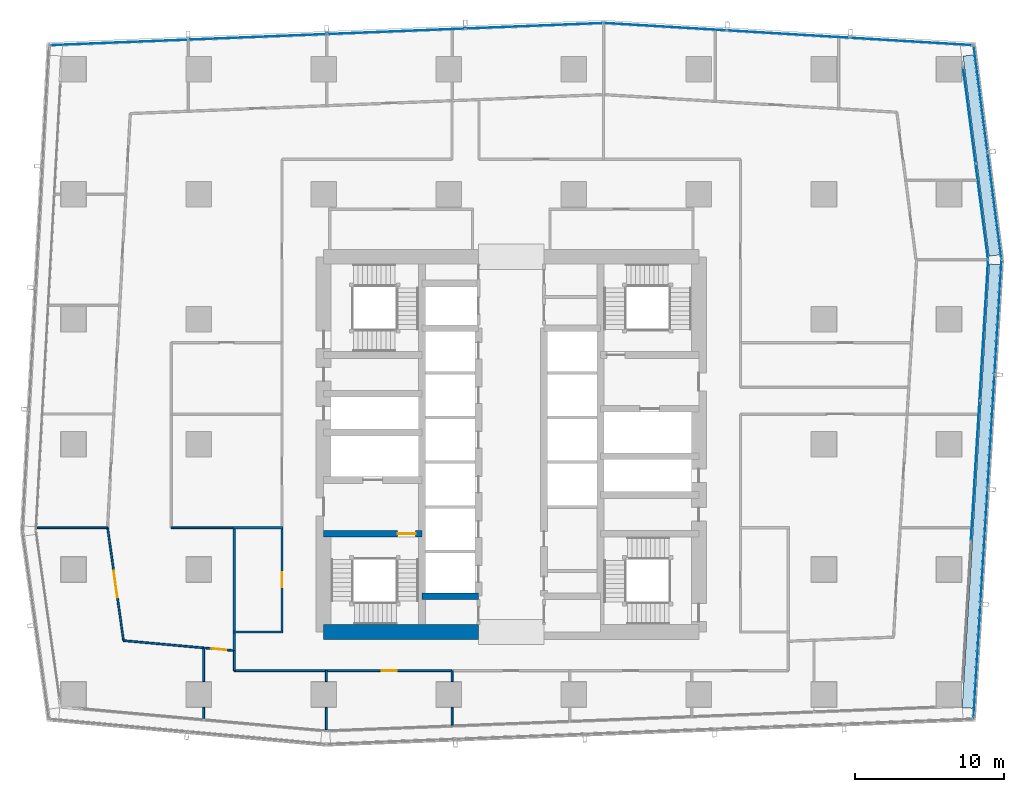
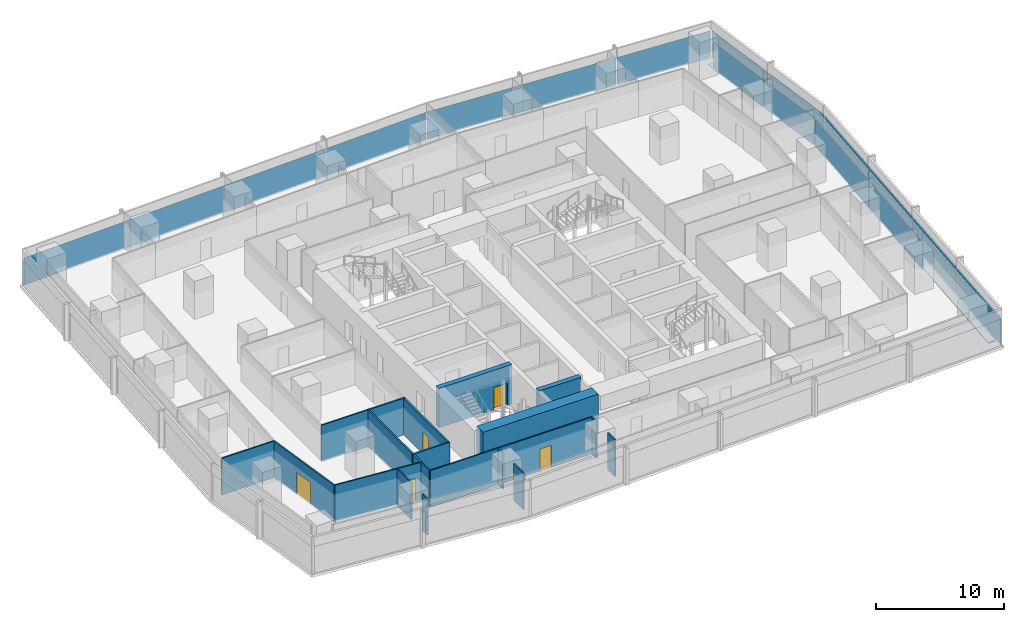
# One storey, part 28 of 40: 22 walls, 19 plates, 5 doors, 5 openings, 6 elements without a shape of their own.
"""IFC4 building model written with IfcOpenShell, lengths in metres."""

import ifcopenshell
import ifcopenshell.guid

model = None  # the IFC model being written
_history = None  # IfcOwnerHistory: only IFC2X3 demands one
_inside = {}  # id of a spatial element -> (the spatial element, [elements in it])
_under = {}  # id of a project, library or spatial element -> (it, [spatial elements below it])
_declared = {}  # id of a project -> (the project, [libraries it declares])
_typed = {}  # id of a type object -> (the type object, [elements of that type])
_made_of = {}  # id of a material, layer set ... -> (it, [elements and type objects made of it])


def new_model(schema):
    """Start an empty IFC model of exactly this schema.

    Asked for "IFC4X3", IfcOpenShell would pick the latest addendum, in which some entities
    have other attributes; the version numbers below select the first issue.
    IFC2X3 requires an IfcOwnerHistory on every rooted entity: one is made here for all.
    """
    global model, _history
    if schema == "IFC4X3":
        model = ifcopenshell.file(schema_version=(4, 3, 0, 0))
    else:
        model = ifcopenshell.file(schema=schema)
    _inside.clear()
    _under.clear()
    _declared.clear()
    _typed.clear()
    _made_of.clear()
    _history = None
    if model.schema == "IFC2X3":
        org = make("IfcOrganization", Name="unknown")
        user = make(
            "IfcPersonAndOrganization",
            ThePerson=make("IfcPerson", FamilyName="unknown"),
            TheOrganization=org,
        )
        app = make(
            "IfcApplication",
            ApplicationDeveloper=org,
            Version="unknown",
            ApplicationFullName="unknown",
            ApplicationIdentifier="unknown",
        )
        _history = make(
            "IfcOwnerHistory",
            OwningUser=user,
            OwningApplication=app,
            ChangeAction="ADDED",
            CreationDate=0,
        )
    return model


def make(cls, **values):
    """One entity of the class cls with the attributes given. An attribute that is None is left unset."""
    return model.create_entity(
        cls, **{name: value for name, value in values.items() if value is not None}
    )


def rooted(cls, **values):
    """An entity with a GlobalId (a new one), such as an element, a storey or a relation."""
    return make(cls, GlobalId=ifcopenshell.guid.new(), OwnerHistory=_history, **values)


def si_unit(unit_type, name, prefix=None):
    """IfcSIUnit, for example si_unit("LENGTHUNIT", "METRE", prefix="MILLI")."""
    return make("IfcSIUnit", UnitType=unit_type, Prefix=prefix, Name=name)


def assignment(units):
    """IfcUnitAssignment: the units of a project."""
    return None if units is None else make("IfcUnitAssignment", Units=units)


def point(xyz):
    """IfcCartesianPoint."""
    return None if xyz is None else make("IfcCartesianPoint", Coordinates=xyz)


def direction(xyz):
    """IfcDirection."""
    return None if xyz is None else make("IfcDirection", DirectionRatios=xyz)


def frame(location, z_axis=None, x_axis=None):
    """IfcAxis2Placement3D, a coordinate frame: its origin and axes. An axis left out is left unset."""
    return make(
        "IfcAxis2Placement3D",
        Location=point(location),
        Axis=direction(z_axis),
        RefDirection=direction(x_axis),
    )


def frame_2d(location, x_axis=None):
    """IfcAxis2Placement2D, a coordinate frame in the plane: its origin and x axis."""
    return make(
        "IfcAxis2Placement2D", Location=point(location), RefDirection=direction(x_axis)
    )


def origin():
    """The frame at (0, 0, 0) with its axes left unset."""
    return frame((0.0, 0.0, 0.0))


def origin_2d():
    """The frame at (0, 0) in the plane with its x axis left unset."""
    return frame_2d((0.0, 0.0))


def place(relative_to, where):
    """IfcLocalPlacement: puts the frame where relative to a parent placement (None: the world)."""
    return make(
        "IfcLocalPlacement", PlacementRelTo=relative_to, RelativePlacement=where
    )


def context(
    kind, dimensions, precision=None, world=None, true_north=None, identifier=None
):
    """IfcGeometricRepresentationContext, for example the 3D "Model" context."""
    return make(
        "IfcGeometricRepresentationContext",
        ContextIdentifier=identifier,
        ContextType=kind,
        CoordinateSpaceDimension=dimensions,
        Precision=precision,
        WorldCoordinateSystem=world,
        TrueNorth=true_north,
    )


def subcontext(parent, identifier, kind, view, scale=None):
    """IfcGeometricRepresentationSubContext, for example "Body" below "Model"."""
    return make(
        "IfcGeometricRepresentationSubContext",
        ContextIdentifier=identifier,
        ContextType=kind,
        ParentContext=parent,
        TargetScale=scale,
        TargetView=view,
    )


def project(units=None, contexts=None):
    """IfcProject with its units and contexts."""
    return rooted(
        "IfcProject",
        Name="project",
        RepresentationContexts=contexts,
        UnitsInContext=assignment(units),
    )


def spatial(cls, under=None, at=None, **own):
    """A site, building, storey or space (cls), placed at a placement, below another one or the project."""
    s = rooted(cls, ObjectPlacement=at, **own)
    if under is not None:
        _under.setdefault(under.id(), (under, []))[1].append(s)
    return s


def profile(cls, at=None, kind="AREA", **sizes):
    """A parametric profile (cls). Its sizes go by their IFC names, for example OverallWidth=200.0."""
    return make(cls, ProfileType=kind, Position=at, **sizes)


def rectangle(**sizes):
    """IfcRectangleProfileDef."""
    return profile("IfcRectangleProfileDef", **sizes)


def extrude(swept, where, along, depth):
    """IfcExtrudedAreaSolid: the profile swept, set in the frame where, extruded along a direction by depth."""
    return make(
        "IfcExtrudedAreaSolid",
        SweptArea=swept,
        Position=where,
        ExtrudedDirection=direction(along),
        Depth=depth,
    )


def shape(context_of_items, identifier, shape_type, items):
    """IfcShapeRepresentation: the items that make up one representation, for example the "Body"."""
    return make(
        "IfcShapeRepresentation",
        ContextOfItems=context_of_items,
        RepresentationIdentifier=identifier,
        RepresentationType=shape_type,
        Items=items,
    )


def material(Name=None, Category=None):
    """IfcMaterial."""
    return make("IfcMaterial", Name=Name, Category=Category)


def layer(
    of_material, thickness, ventilated=None, Name=None, Category=None, Priority=None
):
    """IfcMaterialLayer: one layer of a wall or slab, of a material (None: an air gap)."""
    return make(
        "IfcMaterialLayer",
        Material=of_material,
        LayerThickness=thickness,
        IsVentilated=ventilated,
        Name=Name,
        Category=Category,
        Priority=Priority,
    )


def layer_set(layers, Name=None):
    """IfcMaterialLayerSet."""
    return make("IfcMaterialLayerSet", MaterialLayers=layers, LayerSetName=Name)


def made_of(thing, what):
    """Note that an element or type object is made of a material, layer set ...; save() writes the relation."""
    if what is not None:
        _made_of.setdefault(what.id(), (what, []))[1].append(thing)
    return thing


def type_object(cls, material=None, **own):
    """A type object (cls), such as IfcWallType, which elements share."""
    return made_of(rooted(cls, **own), material)


def element(
    cls,
    number,
    at=None,
    inside=None,
    cuts=None,
    type_object=None,
    material=None,
    context=None,
    identifier="Body",
    shape_type=None,
    held_by="IfcProductDefinitionShape",
    body=None,
    shapes=None,
    **own,
):
    """One element of the class cls, such as IfcWall. Its Tag is "e" and its number.

    at: its placement. inside: the storey or other place that contains it. cuts: it is an
    opening in that element (IfcRelVoidsElement). A single representation is given by context,
    identifier, shape_type and body (its items); several are given by shapes. held_by: the class
    of the entity that holds the representations. save() writes the other relations.
    """
    e = rooted(cls, Tag="e%d" % number, ObjectPlacement=at, **own)
    if body is not None:
        shapes = [shape(context, identifier, shape_type, body)]
    if shapes is not None:
        e.Representation = make(held_by, Representations=shapes)
    if inside is not None:
        _inside.setdefault(inside.id(), (inside, []))[1].append(e)
    if cuts is not None:
        rooted(
            "IfcRelVoidsElement", RelatingBuildingElement=cuts, RelatedOpeningElement=e
        )
    if type_object is not None:
        _typed.setdefault(type_object.id(), (type_object, []))[1].append(e)
    return made_of(e, material)


def fill(opening, filler):
    """IfcRelFillsElement: the door or window that sits in an opening."""
    return rooted(
        "IfcRelFillsElement",
        RelatingOpeningElement=opening,
        RelatedBuildingElement=filler,
    )


def aggregate(whole, parts):
    """IfcRelAggregates: a whole, such as a stair, and the parts it consists of."""
    return rooted("IfcRelAggregates", RelatingObject=whole, RelatedObjects=parts)


def save(model, path):
    """Write the relations noted so far, then the file.

    IfcRelAggregates (storeys below a building ...), IfcRelContainedInSpatialStructure (elements
    in a storey), IfcRelDefinesByType, IfcRelAssociatesMaterial and IfcRelDeclares: one each for
    every whole, place, type object, material and project.
    """
    for whole, parts in _under.values():
        aggregate(whole, parts)
    for where, things in _inside.values():
        rooted(
            "IfcRelContainedInSpatialStructure",
            RelatedElements=things,
            RelatingStructure=where,
        )
    for kind, things in _typed.values():
        rooted("IfcRelDefinesByType", RelatedObjects=things, RelatingType=kind)
    for what, things in _made_of.values():
        rooted("IfcRelAssociatesMaterial", RelatedObjects=things, RelatingMaterial=what)
    for by, libraries in _declared.values():
        rooted("IfcRelDeclares", RelatingContext=by, RelatedDefinitions=libraries)
    model.write(path)


model = new_model("IFC4")

# Units and contexts
model_context = context("Model", 3, precision=1e-05, world=origin(), true_north=direction((0.0, 1.0)))
body_context = subcontext(model_context, "Body", "Model", "MODEL_VIEW")
ifc_project = project(units=[si_unit("LENGTHUNIT", "METRE"), si_unit("AREAUNIT", "SQUARE_METRE"), si_unit("VOLUMEUNIT", "CUBIC_METRE"), si_unit("PLANEANGLEUNIT", "RADIAN"), si_unit("MASSUNIT", "GRAM", prefix="KILO")], contexts=[model_context])

# Site, building, storey
site_placement = place(None, origin())
site = spatial("IfcSite", under=ifc_project, at=site_placement, CompositionType="ELEMENT")
building_placement = place(site_placement, origin())
building = spatial("IfcBuilding", under=site, at=building_placement, Name="Rekha Terrace Tower", CompositionType="ELEMENT")
storey_placement = place(building_placement, frame((0.0, 0.0, 117.800048828125)))
storey = spatial("IfcBuildingStorey", under=building, at=storey_placement, Name="L29", CompositionType="ELEMENT", Elevation=117.800048828125)

# Curtain wall, plates
ifc_material_1 = material(Name="Aluminium framing", Category="aluminium")
curtain_wall_type_1 = type_object("IfcCurtainWallType", Name="CW1 double skin inner glazing", PredefinedType="USERDEFINED", material=ifc_material_1)
curtain_wall_1_placement = place(storey_placement, origin())
curtain_wall_1 = element("IfcCurtainWall", 1, at=curtain_wall_1_placement, inside=storey, type_object=curtain_wall_type_1, Name="CW1 double skin inner glazing", ObjectType="DOUBLE SKIN INNER GLAZING", PredefinedType="USERDEFINED")
ifc_material_2 = material(Name="Double-glazed low-e unit 32", Category="glass")
ifc_layer_1 = layer(ifc_material_2, 0.031982421875)
ifc_layer_set_1 = layer_set([ifc_layer_1], Name="Double-glazed low-e unit 32")
plate_type_1 = type_object("IfcPlateType", Name="CW1 jumbo vision panel, double-glazed low-e unit 32", PredefinedType="CURTAIN_PANEL", material=ifc_layer_set_1)
plate_1_placement = place(storey_placement, frame((68.968505859375, 31.8193359375, 0.0), z_axis=(0.0, 0.0, 1.0), x_axis=(0.061159803131, 0.998127987024, 0.0)))
plate_1 = element("IfcPlate", 2, at=plate_1_placement, type_object=plate_type_1, Name="CW1 panel 2.1", PredefinedType="CURTAIN_PANEL", context=body_context, shape_type="SweptSolid", body=[
    extrude(rectangle(XDim=9.3876953125, YDim=0.031982421875, at=origin_2d()), origin(), (0.0, 0.0, 1.0), 2.60009765625),
])
plate_2_placement = place(storey_placement, frame((69.547607421875, 41.2705078125, 0.0), z_axis=(0.0, 0.0, 1.0), x_axis=(0.061159803131, 0.998127987024, 0.0)))
plate_2 = element("IfcPlate", 3, at=plate_2_placement, type_object=plate_type_1, Name="CW1 panel 3.1", PredefinedType="CURTAIN_PANEL", context=body_context, shape_type="SweptSolid", body=[
    extrude(rectangle(XDim=9.420166015625, YDim=0.031982421875, at=origin_2d()), origin(), (0.0, 0.0, 1.0), 2.60009765625),
])
aggregate(curtain_wall_1, [plate_1, plate_2])

curtain_wall_2_placement = place(storey_placement, origin())
curtain_wall_2 = element("IfcCurtainWall", 4, at=curtain_wall_2_placement, inside=storey, type_object=curtain_wall_type_1, Name="CW1 double skin inner glazing", ObjectType="DOUBLE SKIN INNER GLAZING", PredefinedType="USERDEFINED")
plate_3_placement = place(storey_placement, frame((69.411376953125, 49.230712890625, 0.0), z_axis=(0.0, 0.0, 1.0), x_axis=(-0.129118383675, 0.991629186237, 0.0)))
plate_3 = element("IfcPlate", 5, at=plate_3_placement, type_object=plate_type_1, Name="CW1 panel 1.1", PredefinedType="CURTAIN_PANEL", context=body_context, shape_type="SweptSolid", body=[
    extrude(rectangle(XDim=6.443115234375, YDim=0.031982421875, at=origin_2d()), origin(), (0.0, 0.0, 1.0), 2.60009765625),
])
plate_4_placement = place(storey_placement, frame((68.571044921875, 55.68408203125, 0.0), z_axis=(0.0, 0.0, 1.0), x_axis=(-0.129118383675, 0.991629186237, 0.0)))
plate_4 = element("IfcPlate", 6, at=plate_4_placement, type_object=plate_type_1, Name="CW1 panel 2.1", PredefinedType="CURTAIN_PANEL", context=body_context, shape_type="SweptSolid", body=[
    extrude(rectangle(XDim=6.443115234375, YDim=0.031982421875, at=origin_2d()), origin(), (0.0, 0.0, 1.0), 2.60009765625),
])
aggregate(curtain_wall_2, [plate_3, plate_4])

curtain_wall_type_2 = type_object("IfcCurtainWallType", Name="CW2 double skin outer glazing", PredefinedType="USERDEFINED", material=ifc_material_1)
curtain_wall_3_placement = place(storey_placement, origin())
curtain_wall_3 = element("IfcCurtainWall", 7, at=curtain_wall_3_placement, inside=storey, type_object=curtain_wall_type_2, Name="CW2 double skin outer glazing", ObjectType="DOUBLE SKIN OUTER GLAZING", PredefinedType="USERDEFINED")
ifc_material_3 = material(Name="Toughened single glazing 12", Category="glass")
ifc_layer_2 = layer(ifc_material_3, 0.011962890625)
ifc_layer_set_2 = layer_set([ifc_layer_2], Name="Toughened single glazing 12")
plate_type_2 = type_object("IfcPlateType", Name="CW2 jumbo vision panel, toughened single glazing 12", PredefinedType="CURTAIN_PANEL", material=ifc_layer_set_2)
plate_5_placement = place(storey_placement, frame((69.086669921875, 19.0302734375, 0.0), z_axis=(0.0, 0.0, 1.0), x_axis=(0.061159803131, 0.998127987024, 0.0)))
plate_5 = element("IfcPlate", 8, at=plate_5_placement, type_object=plate_type_2, Name="CW2 panel 1.1", PredefinedType="CURTAIN_PANEL", context=body_context, shape_type="SweptSolid", body=[
    extrude(rectangle(XDim=7.6064453125, YDim=0.011962890625, at=origin_2d()), origin(), (0.0, 0.0, 1.0), 2.60009765625),
])
plate_6_placement = place(storey_placement, frame((69.557861328125, 26.722412109375, 0.0), z_axis=(0.0, 0.0, 1.0), x_axis=(0.061159803131, 0.998127987024, 0.0)))
plate_6 = element("IfcPlate", 9, at=plate_6_placement, type_object=plate_type_2, Name="CW2 panel 2.1", PredefinedType="CURTAIN_PANEL", context=body_context, shape_type="SweptSolid", body=[
    extrude(rectangle(XDim=7.646484375, YDim=0.011962890625, at=origin_2d()), origin(), (0.0, 0.0, 1.0), 2.60009765625),
])
plate_7_placement = place(storey_placement, frame((70.030517578125, 34.434326171875, 0.0), z_axis=(0.0, 0.0, 1.0), x_axis=(0.061159803131, 0.998127987024, 0.0)))
plate_7 = element("IfcPlate", 10, at=plate_7_placement, type_object=plate_type_2, Name="CW2 panel 3.1", PredefinedType="CURTAIN_PANEL", context=body_context, shape_type="SweptSolid", body=[
    extrude(rectangle(XDim=7.646484375, YDim=0.011962890625, at=origin_2d()), origin(), (0.0, 0.0, 1.0), 2.60009765625),
])
plate_8_placement = place(storey_placement, frame((70.50439453125, 42.16650390625, 0.0), z_axis=(0.0, 0.0, 1.0), x_axis=(0.061159803131, 0.998127987024, 0.0)))
plate_8 = element("IfcPlate", 11, at=plate_8_placement, type_object=plate_type_2, Name="CW2 panel 4.1", PredefinedType="CURTAIN_PANEL", context=body_context, shape_type="SweptSolid", body=[
    extrude(rectangle(XDim=7.6865234375, YDim=0.011962890625, at=origin_2d()), origin(), (0.0, 0.0, 1.0), 2.60009765625),
])
aggregate(curtain_wall_3, [plate_5, plate_6, plate_7, plate_8])

curtain_wall_4_placement = place(storey_placement, origin())
curtain_wall_4 = element("IfcCurtainWall", 12, at=curtain_wall_4_placement, inside=storey, type_object=curtain_wall_type_2, Name="CW2 double skin outer glazing", ObjectType="DOUBLE SKIN OUTER GLAZING", PredefinedType="USERDEFINED")
plate_9_placement = place(storey_placement, frame((70.2666015625, 49.6337890625, 0.0), z_axis=(0.0, 0.0, 1.0), x_axis=(-0.129118383623, 0.991629186244, 0.0)))
plate_9 = element("IfcPlate", 13, at=plate_9_placement, type_object=plate_type_2, Name="CW2 panel 1.1", PredefinedType="CURTAIN_PANEL", context=body_context, shape_type="SweptSolid", body=[
    extrude(rectangle(XDim=7.163818359375, YDim=0.011962890625, at=origin_2d()), origin(), (0.0, 0.0, 1.0), 2.60009765625),
])
plate_10_placement = place(storey_placement, frame((69.331298828125, 56.81689453125, 0.0), z_axis=(0.0, 0.0, 1.0), x_axis=(-0.129118383623, 0.991629186244, 0.0)))
plate_10 = element("IfcPlate", 14, at=plate_10_placement, type_object=plate_type_2, Name="CW2 panel 2.1", PredefinedType="CURTAIN_PANEL", context=body_context, shape_type="SweptSolid", body=[
    extrude(rectangle(XDim=7.163818359375, YDim=0.011962890625, at=origin_2d()), origin(), (0.0, 0.0, 1.0), 2.60009765625),
])
aggregate(curtain_wall_4, [plate_9, plate_10])

curtain_wall_type_3 = type_object("IfcCurtainWallType", Name="CW3 north unitised glazing", PredefinedType="USERDEFINED", material=ifc_material_1)
curtain_wall_5_placement = place(storey_placement, origin())
curtain_wall_5 = element("IfcCurtainWall", 15, at=curtain_wall_5_placement, inside=storey, type_object=curtain_wall_type_3, Name="CW3 unitised curtain wall", ObjectType="UNITISED CURTAIN WALL", PredefinedType="USERDEFINED")
ifc_material_4 = material(Name="Double-glazed unit 28", Category="glass")
ifc_layer_3 = layer(ifc_material_4, 0.028076171875)
ifc_layer_set_3 = layer_set([ifc_layer_3], Name="Double-glazed unit 28")
plate_type_3 = type_object("IfcPlateType", Name="CW3 jumbo vision panel, double-glazed unit 28", PredefinedType="CURTAIN_PANEL", material=ifc_layer_set_3)
plate_11_placement = place(storey_placement, frame((64.6748046875, 60.65966796875, 0.0), z_axis=(0.0, 0.0, 1.0), x_axis=(-0.998199102701, 0.059987926837, 0.0)))
plate_11 = element("IfcPlate", 16, at=plate_11_placement, type_object=plate_type_3, Name="CW3 panel 1.1", PredefinedType="CURTAIN_PANEL", context=body_context, shape_type="SweptSolid", body=[
    extrude(rectangle(XDim=8.171630859375, YDim=0.028076171875, at=origin_2d()), origin(), (0.0, 0.0, 1.0), 2.60009765625),
])
plate_12_placement = place(storey_placement, frame((56.430419921875, 61.155029296875, 0.0), z_axis=(0.0, 0.0, 1.0), x_axis=(-0.998199102701, 0.059987926837, 0.0)))
plate_12 = element("IfcPlate", 17, at=plate_12_placement, type_object=plate_type_3, Name="CW3 panel 2.1", PredefinedType="CURTAIN_PANEL", context=body_context, shape_type="SweptSolid", body=[
    extrude(rectangle(XDim=8.20654296875, YDim=0.028076171875, at=origin_2d()), origin(), (0.0, 0.0, 1.0), 2.60009765625),
])
plate_13_placement = place(storey_placement, frame((48.1513671875, 61.652587890625, 0.0), z_axis=(0.0, 0.0, 1.0), x_axis=(-0.998199102701, 0.059987926837, 0.0)))
plate_13 = element("IfcPlate", 18, at=plate_13_placement, type_object=plate_type_3, Name="CW3 panel 3.1", PredefinedType="CURTAIN_PANEL", context=body_context, shape_type="SweptSolid", body=[
    extrude(rectangle(XDim=8.24169921875, YDim=0.028076171875, at=origin_2d()), origin(), (0.0, 0.0, 1.0), 2.60009765625),
])
aggregate(curtain_wall_5, [plate_11, plate_12, plate_13])

curtain_wall_6_placement = place(storey_placement, origin())
curtain_wall_6 = element("IfcCurtainWall", 19, at=curtain_wall_6_placement, inside=storey, type_object=curtain_wall_type_3, Name="CW3 unitised curtain wall", ObjectType="UNITISED CURTAIN WALL", PredefinedType="USERDEFINED")
plate_14_placement = place(storey_placement, frame((39.364501953125, 61.71240234375, 0.0), z_axis=(0.0, 0.0, 1.0), x_axis=(-0.999198398721, -0.040031987119, 0.0)))
plate_14 = element("IfcPlate", 20, at=plate_14_placement, type_object=plate_type_3, Name="CW3 panel 1.1", PredefinedType="CURTAIN_PANEL", context=body_context, shape_type="SweptSolid", body=[
    extrude(rectangle(XDim=9.214599609375, YDim=0.028076171875, at=origin_2d()), origin(), (0.0, 0.0, 1.0), 2.60009765625),
])
plate_15_placement = place(storey_placement, frame((30.06982421875, 61.340087890625, 0.0), z_axis=(0.0, 0.0, 1.0), x_axis=(-0.999198398721, -0.040031987119, 0.0)))
plate_15 = element("IfcPlate", 21, at=plate_15_placement, type_object=plate_type_3, Name="CW3 panel 2.1", PredefinedType="CURTAIN_PANEL", context=body_context, shape_type="SweptSolid", body=[
    extrude(rectangle(XDim=9.24951171875, YDim=0.028076171875, at=origin_2d()), origin(), (0.0, 0.0, 1.0), 2.60009765625),
])
plate_16_placement = place(storey_placement, frame((20.7578125, 60.967041015625, 0.0), z_axis=(0.0, 0.0, 1.0), x_axis=(-0.999198398721, -0.040031987119, 0.0)))
plate_16 = element("IfcPlate", 22, at=plate_16_placement, type_object=plate_type_3, Name="CW3 panel 3.1", PredefinedType="CURTAIN_PANEL", context=body_context, shape_type="SweptSolid", body=[
    extrude(rectangle(XDim=9.24951171875, YDim=0.028076171875, at=origin_2d()), origin(), (0.0, 0.0, 1.0), 2.60009765625),
])
plate_17_placement = place(storey_placement, frame((11.46337890625, 60.5947265625, 0.0), z_axis=(0.0, 0.0, 1.0), x_axis=(-0.999198398721, -0.040031987119, 0.0)))
plate_17 = element("IfcPlate", 23, at=plate_17_placement, type_object=plate_type_3, Name="CW3 panel 4.1", PredefinedType="CURTAIN_PANEL", context=body_context, shape_type="SweptSolid", body=[
    extrude(rectangle(XDim=9.214599609375, YDim=0.028076171875, at=origin_2d()), origin(), (0.0, 0.0, 1.0), 2.60009765625),
])
aggregate(curtain_wall_6, [plate_14, plate_15, plate_16, plate_17])

# Plates
ifc_material_5 = material(Name="Galvanised steel open grating", Category="steel")
ifc_layer_4 = layer(ifc_material_5, 0.050048828125)
ifc_layer_set_4 = layer_set([ifc_layer_4], Name="Galvanised steel open grating")
plate_type_4 = type_object("IfcPlateType", Name="GT1 cavity walkway grating 50", PredefinedType="USERDEFINED", material=ifc_layer_set_4)
plate_18_placement = place(storey_placement, frame((69.356201171875, 30.78759765625, 0.0), z_axis=(0.0, 0.0, 1.0), x_axis=(0.061159803131, 0.998127987024, 0.0)))
element("IfcPlate", 24, at=plate_18_placement, inside=storey, type_object=plate_type_4, Name="Cavity walkway grating", ObjectType="CAVITY WALKWAY GRATING", PredefinedType="USERDEFINED", context=body_context, shape_type="SweptSolid", body=[
    extrude(rectangle(XDim=29.85595703125, YDim=0.705078125, at=origin_2d()), origin(), (0.0, 0.0, 1.0), 0.050048828125),
])
plate_19_placement = place(storey_placement, frame((69.373779296875, 53.004150390625, 0.0), z_axis=(0.0, 0.0, 1.0), x_axis=(-0.129118383623, 0.991629186244, 0.0)))
element("IfcPlate", 25, at=plate_19_placement, inside=storey, type_object=plate_type_4, Name="Cavity walkway grating", ObjectType="CAVITY WALKWAY GRATING", PredefinedType="USERDEFINED", context=body_context, shape_type="SweptSolid", body=[
    extrude(rectangle(XDim=13.552734375, YDim=0.705078125, at=origin_2d()), origin(), (0.0, 0.0, 1.0), 0.050048828125),
])

# Wall
ifc_material_6 = material(Name="Concrete M70", Category="concrete")
ifc_layer_5 = layer(ifc_material_6, 0.449951171875)
ifc_layer_set_5 = layer_set([ifc_layer_5], Name="Concrete M70")
wall_type_1 = type_object("IfcWallType", Name="CI2 450 core internal shear wall", PredefinedType="SHEAR", material=ifc_layer_set_5)
wall_1_placement = place(storey_placement, frame((31.800048828125, 23.39990234375, 0.0), z_axis=(0.0, 0.0, 1.0), x_axis=(1.0, 0.0, 0.0)))
element("IfcWall", 26, at=wall_1_placement, inside=storey, type_object=wall_type_1, Name="Core wall Y234W L29", PredefinedType="SHEAR", context=body_context, shape_type="SweptSolid", body=[
    extrude(rectangle(XDim=3.800048828125, YDim=0.449951171875, at=frame_2d((1.89990234375, 0.0))), origin(), (0.0, 0.0, 1.0), 3.75),
])

# Wall, opening, door
wall_2_placement = place(storey_placement, frame((25.199951171875, 27.60009765625, 0.0), z_axis=(0.0, 0.0, 1.0), x_axis=(1.0, 0.0, 0.0)))
wall_2 = element("IfcWall", 27, at=wall_2_placement, inside=storey, type_object=wall_type_1, Name="Core wall Y276W L29", PredefinedType="SHEAR", context=body_context, shape_type="SweptSolid", body=[
    extrude(rectangle(XDim=6.60009765625, YDim=0.449951171875, at=frame_2d((3.300048828125, 0.0))), origin(), (0.0, 0.0, 1.0), 3.75),
])
opening_1_placement = place(wall_2_placement, frame((4.97509765625, 0.0, 0.0)))
opening_1 = element("IfcOpeningElement", 28, at=opening_1_placement, cuts=wall_2, Name="Opening D1", PredefinedType="OPENING", context=body_context, shape_type="SweptSolid", body=[
    extrude(rectangle(XDim=1.199951171875, YDim=2.10009765625, at=frame_2d((0.60009765625, 1.050048828125))), frame((0.0, 0.23486328125, 0.0), z_axis=(0.0, -1.0, 0.0), x_axis=(1.0, 0.0, 0.0)), (0.0, 0.0, 1.0), 0.469970703125),
])
ifc_material_7 = material(Name="Steel fire door", Category="steel")
door_type_1 = type_object("IfcDoorType", Name="D1 1200x2100 stair fire door", OperationType="SINGLE_SWING_RIGHT", PredefinedType="DOOR", material=ifc_material_7)
door_1_placement = place(opening_1_placement, origin())
door_1 = element("IfcDoor", 29, at=door_1_placement, inside=storey, type_object=door_type_1, Name="Stair ST1 door L29", OperationType="SINGLE_SWING_RIGHT", OverallHeight=2.10009765625, OverallWidth=1.199951171875, PredefinedType="DOOR", context=body_context, shape_type="SweptSolid", body=[
    extrude(rectangle(XDim=1.199951171875, YDim=2.10009765625, at=frame_2d((0.60009765625, 1.050048828125))), frame((0.0, 0.02490234375, 0.0), z_axis=(0.0, -1.0, 0.0), x_axis=(1.0, 0.0, 0.0)), (0.0, 0.0, 1.0), 0.050048828125),
])
fill(opening_1, door_1)

# Walls
ifc_layer_6 = layer(ifc_material_6, 1.0)
ifc_layer_set_6 = layer_set([ifc_layer_6], Name="Concrete M70")
wall_type_2 = type_object("IfcWallType", Name="SW2 1000 core outer shear wall", PredefinedType="SHEAR", material=ifc_layer_set_6)
wall_3_placement = place(storey_placement, frame((25.199951171875, 21.0, 0.0), z_axis=(0.0, 0.0, 1.0), x_axis=(1.0, 0.0, 0.0)))
element("IfcWall", 30, at=wall_3_placement, inside=storey, type_object=wall_type_2, Name="Core wall S1 L29", PredefinedType="SHEAR", context=body_context, shape_type="SweptSolid", body=[
    extrude(rectangle(XDim=10.400146484375, YDim=1.0, at=frame_2d((5.2001953125, 0.0))), origin(), (0.0, 0.0, 1.0), 3.75),
])
ifc_material_8 = material(Name="Concrete block masonry, 1 hour", Category="masonry")
ifc_layer_7 = layer(ifc_material_8, 0.14990234375)
ifc_layer_set_7 = layer_set([ifc_layer_7], Name="Concrete block masonry, 1 hour")
wall_type_3 = type_object("IfcWallType", Name="WP2 150 tenancy partition", PredefinedType="PARTITIONING", material=ifc_layer_set_7)
for number, where, z_axis, x_axis, name in (
    (31, (19.125, 21.0, 0.0), (0.0, 0.0, 1.0), (1.0, 0.0, 0.0), "Men's WC wall L29"),
    (32, (19.125, 28.0, 0.0), (0.0, 0.0, 1.0), (1.0, 0.0, 0.0), "Men's WC wall L29"),
):
    element("IfcWall", number, at=place(storey_placement, frame(where, z_axis=z_axis, x_axis=x_axis)), inside=storey, type_object=wall_type_3, Name=name, PredefinedType="PARTITIONING", context=body_context, shape_type="SweptSolid", body=[
        extrude(rectangle(XDim=3.35009765625, YDim=0.14990234375, at=frame_2d((1.675048828125, 0.0))), origin(), (0.0, 0.0, 1.0), 3.5),
    ])
wall_4_placement = place(storey_placement, frame((19.199951171875, 21.074951171875, 0.0), z_axis=(0.0, 0.0, 1.0), x_axis=(0.0, 1.0, 0.0)))
element("IfcWall", 33, at=wall_4_placement, inside=storey, type_object=wall_type_3, Name="Men's WC wall L29", PredefinedType="PARTITIONING", context=body_context, shape_type="SweptSolid", body=[
    extrude(rectangle(XDim=6.85009765625, YDim=0.14990234375, at=frame_2d((3.425048828125, 0.0))), origin(), (0.0, 0.0, 1.0), 3.5),
])

# Wall, opening, door
wall_5_placement = place(storey_placement, frame((22.39990234375, 21.074951171875, 0.0), z_axis=(0.0, 0.0, 1.0), x_axis=(0.0, 1.0, 0.0)))
wall_5 = element("IfcWall", 34, at=wall_5_placement, inside=storey, type_object=wall_type_3, Name="Men's WC wall L29", PredefinedType="PARTITIONING", context=body_context, shape_type="SweptSolid", body=[
    extrude(rectangle(XDim=6.85009765625, YDim=0.14990234375, at=frame_2d((3.425048828125, 0.0))), origin(), (0.0, 0.0, 1.0), 3.5),
])
opening_2_placement = place(wall_5_placement, frame((2.925048828125, 0.0, 0.0)))
opening_2 = element("IfcOpeningElement", 35, at=opening_2_placement, cuts=wall_5, Name="Opening D3", PredefinedType="OPENING", context=body_context, shape_type="SweptSolid", body=[
    extrude(rectangle(XDim=1.0, YDim=2.10009765625, at=frame_2d((0.5, 1.050048828125))), frame((0.0, 0.0849609375, 0.0), z_axis=(0.0, -1.0, 0.0), x_axis=(1.0, 0.0, 0.0)), (0.0, 0.0, 1.0), 0.169921875),
])
ifc_material_9 = material(Name="Laminated timber fire door", Category="wood")
door_type_2 = type_object("IfcDoorType", Name="D3 1000x2100 WC door", OperationType="SINGLE_SWING_LEFT", PredefinedType="DOOR", material=ifc_material_9)
door_2_placement = place(opening_2_placement, origin())
door_2 = element("IfcDoor", 36, at=door_2_placement, inside=storey, type_object=door_type_2, Name="Door men's wc L29", OperationType="SINGLE_SWING_LEFT", OverallHeight=2.10009765625, OverallWidth=1.0, PredefinedType="DOOR", context=body_context, shape_type="SweptSolid", body=[
    extrude(rectangle(XDim=1.0, YDim=2.10009765625, at=frame_2d((0.5, 1.050048828125))), frame((0.0, 0.02490234375, 0.0), z_axis=(0.0, -1.0, 0.0), x_axis=(1.0, 0.0, 0.0)), (0.0, 0.0, 1.0), 0.050048828125),
])
fill(opening_2, door_2)

# Walls
wall_6_placement = place(storey_placement, frame((19.199951171875, 20.925048828125, 0.0), z_axis=(0.0, 0.0, 1.0), x_axis=(0.0, -1.0, 0.0)))
element("IfcWall", 37, at=wall_6_placement, inside=storey, type_object=wall_type_3, Name="Partition L29-O2", PredefinedType="PARTITIONING", context=body_context, shape_type="SweptSolid", body=[
    extrude(rectangle(XDim=1.18505859375, YDim=0.14990234375, at=frame_2d((0.592529296875, 0.0))), origin(), (0.0, 0.0, 1.0), 3.5),
])
ifc_material_10 = material(Name="Two layers of fire-rated gypsum board each side on steel studs, acoustic quilt, 1 hour", Category="steel")
ifc_layer_8 = layer(ifc_material_10, 0.125)
ifc_layer_set_8 = layer_set([ifc_layer_8], Name="Two layers of fire-rated gypsum board each side on steel studs, acoustic quilt, 1 hour")
wall_type_4 = type_object("IfcWallType", Name="WP3 125 office partition", PredefinedType="PARTITIONING", material=ifc_layer_set_8)
wall_7_placement = place(storey_placement, frame((10.680908203125, 28.0, 0.0), z_axis=(0.0, 0.0, 1.0), x_axis=(-1.0, 0.0, 0.0)))
element("IfcWall", 38, at=wall_7_placement, inside=storey, type_object=wall_type_4, Name="Partition L29-19", PredefinedType="PARTITIONING", context=body_context, shape_type="SweptSolid", body=[
    extrude(rectangle(XDim=4.726806640625, YDim=0.125, at=frame_2d((2.36328125, 0.0))), origin(), (0.0, 0.0, 1.0), 3.5),
])

# Wall, opening, door
wall_8_placement = place(storey_placement, frame((10.68505859375, 27.9990234375, 0.0), z_axis=(0.0, 0.0, 1.0), x_axis=(0.139573309733, -0.990211740594, 0.0)))
wall_8 = element("IfcWall", 39, at=wall_8_placement, inside=storey, type_object=wall_type_4, Name="Partition L29-20", PredefinedType="PARTITIONING", context=body_context, shape_type="SweptSolid", body=[
    extrude(rectangle(XDim=7.657958984375, YDim=0.125, at=frame_2d((3.8291015625, 0.0))), origin(), (0.0, 0.0, 1.0), 3.5),
])
opening_3_placement = place(wall_8_placement, frame((2.928955078125, 0.0, 0.0)))
opening_3 = element("IfcOpeningElement", 40, at=opening_3_placement, cuts=wall_8, Name="Opening D8", PredefinedType="OPENING", context=body_context, shape_type="SweptSolid", body=[
    extrude(rectangle(XDim=1.800048828125, YDim=2.10009765625, at=frame_2d((0.89990234375, 1.050048828125))), frame((0.0, 0.072509765625, 0.0), z_axis=(0.0, -1.0, 0.0), x_axis=(1.0, 0.0, 0.0)), (0.0, 0.0, 1.0), 0.14501953125),
])
ifc_material_11 = material(Name="Timber fire door", Category="wood")
door_type_3 = type_object("IfcDoorType", Name="D8 1800x2100 double leaf door", OperationType="DOUBLE_DOOR_SINGLE_SWING", PredefinedType="DOOR", material=ifc_material_11)
door_3_placement = place(opening_3_placement, origin())
door_3 = element("IfcDoor", 41, at=door_3_placement, inside=storey, type_object=door_type_3, Name="Door meeting room L29", OperationType="DOUBLE_DOOR_SINGLE_SWING", OverallHeight=2.10009765625, OverallWidth=1.800048828125, PredefinedType="DOOR", context=body_context, shape_type="SweptSolid", body=[
    extrude(rectangle(XDim=1.800048828125, YDim=2.10009765625, at=frame_2d((0.89990234375, 1.050048828125))), frame((0.0, 0.02490234375, 0.0), z_axis=(0.0, -1.0, 0.0), x_axis=(1.0, 0.0, 0.0)), (0.0, 0.0, 1.0), 0.050048828125),
])
fill(opening_3, door_3)

# Walls
wall_9_placement = place(storey_placement, frame((11.75390625, 20.416015625, 0.0), z_axis=(0.0, 0.0, 1.0), x_axis=(0.995910967986, -0.090340156328, 0.0)))
element("IfcWall", 42, at=wall_9_placement, inside=storey, type_object=wall_type_4, Name="Partition L29-20", PredefinedType="PARTITIONING", context=body_context, shape_type="SweptSolid", body=[
    extrude(rectangle(XDim=5.402099609375, YDim=0.125, at=frame_2d((2.701171875, 0.0))), origin(), (0.0, 0.0, 1.0), 3.5),
])
wall_10_placement = place(storey_placement, frame((17.134033203125, 19.927978515625, 0.0), z_axis=(0.0, 0.0, 1.0), x_axis=(0.0, -1.0, 0.0)))
element("IfcWall", 43, at=wall_10_placement, inside=storey, type_object=wall_type_4, Name="Partition L29-20", PredefinedType="PARTITIONING", context=body_context, shape_type="SweptSolid", body=[
    extrude(rectangle(XDim=2.258056640625, YDim=0.125, at=frame_2d((1.12890625, 0.0))), origin(), (0.0, 0.0, 1.0), 3.5),
])
wall_11_placement = place(storey_placement, frame((17.134033203125, 15.929931640625, 0.0), z_axis=(0.0, 0.0, 1.0), x_axis=(0.0, -1.0, 0.0)))
element("IfcWall", 44, at=wall_11_placement, inside=storey, type_object=wall_type_4, Name="Partition L29-20", PredefinedType="PARTITIONING", context=body_context, shape_type="SweptSolid", body=[
    extrude(rectangle(XDim=0.741943359375, YDim=0.125, at=frame_2d((0.37109375, 0.0))), origin(), (0.0, 0.0, 1.0), 3.5),
])
wall_12_placement = place(storey_placement, frame((19.199951171875, 18.39990234375, 0.0), z_axis=(0.0, 0.0, 1.0), x_axis=(1.0, 0.0, 0.0)))
element("IfcWall", 45, at=wall_12_placement, inside=storey, type_object=wall_type_4, Name="Partition L29-21", PredefinedType="PARTITIONING", context=body_context, shape_type="SweptSolid", body=[
    extrude(rectangle(XDim=6.178955078125, YDim=0.125, at=frame_2d((3.08935546875, 0.0))), origin(), (0.0, 0.0, 1.0), 3.5),
])
wall_13_placement = place(storey_placement, frame((25.37890625, 18.39990234375, 0.0), z_axis=(0.0, 0.0, 1.0), x_axis=(0.0, -1.0, 0.0)))
element("IfcWall", 46, at=wall_13_placement, inside=storey, type_object=wall_type_4, Name="Partition L29-21", PredefinedType="PARTITIONING", context=body_context, shape_type="SweptSolid", body=[
    extrude(rectangle(XDim=0.72998046875, YDim=0.125, at=frame_2d((0.364990234375, 0.0))), origin(), (0.0, 0.0, 1.0), 3.5),
])
wall_14_placement = place(storey_placement, frame((25.37890625, 15.929931640625, 0.0), z_axis=(0.0, 0.0, 1.0), x_axis=(0.0, -1.0, 0.0)))
element("IfcWall", 47, at=wall_14_placement, inside=storey, type_object=wall_type_4, Name="Partition L29-21", PredefinedType="PARTITIONING", context=body_context, shape_type="SweptSolid", body=[
    extrude(rectangle(XDim=1.48681640625, YDim=0.125, at=frame_2d((0.743408203125, 0.0))), origin(), (0.0, 0.0, 1.0), 3.5),
])

# Wall, opening, door
wall_15_placement = place(storey_placement, frame((17.135009765625, 19.927978515625, 0.0), z_axis=(0.0, 0.0, 1.0), x_axis=(0.995881616909, -0.090663140816, 0.0)))
wall_15 = element("IfcWall", 48, at=wall_15_placement, inside=storey, type_object=wall_type_4, Name="Partition L29-21", PredefinedType="PARTITIONING", context=body_context, shape_type="SweptSolid", body=[
    extrude(rectangle(XDim=2.073486328125, YDim=0.125, at=frame_2d((1.03662109375, 0.0))), origin(), (0.0, 0.0, 1.0), 3.5),
])
opening_4_placement = place(wall_15_placement, frame((0.537109375, 0.0, 0.0)))
opening_4 = element("IfcOpeningElement", 49, at=opening_4_placement, cuts=wall_15, Name="Opening D9", PredefinedType="OPENING", context=body_context, shape_type="SweptSolid", body=[
    extrude(rectangle(XDim=1.0, YDim=2.10009765625, at=frame_2d((0.5, 1.050048828125))), frame((0.0, 0.072509765625, 0.0), z_axis=(0.0, -1.0, 0.0), x_axis=(1.0, 0.0, 0.0)), (0.0, 0.0, 1.0), 0.14501953125),
])
door_type_4 = type_object("IfcDoorType", Name="D9 1000x2100 office door", OperationType="SINGLE_SWING_LEFT", PredefinedType="DOOR", material=ifc_material_11)
door_4_placement = place(opening_4_placement, origin())
door_4 = element("IfcDoor", 50, at=door_4_placement, inside=storey, type_object=door_type_4, Name="Door office L29", OperationType="SINGLE_SWING_LEFT", OverallHeight=2.10009765625, OverallWidth=1.0, PredefinedType="DOOR", context=body_context, shape_type="SweptSolid", body=[
    extrude(rectangle(XDim=1.0, YDim=2.10009765625, at=frame_2d((0.5, 1.050048828125))), frame((0.0, 0.02490234375, 0.0), z_axis=(0.0, -1.0, 0.0), x_axis=(1.0, 0.0, 0.0)), (0.0, 0.0, 1.0), 0.050048828125),
])
fill(opening_4, door_4)

# Wall
wall_16_placement = place(storey_placement, frame((19.199951171875, 19.739990234375, 0.0), z_axis=(0.0, 0.0, 1.0), x_axis=(0.0, -1.0, 0.0)))
element("IfcWall", 51, at=wall_16_placement, inside=storey, type_object=wall_type_4, Name="Partition L29-21", PredefinedType="PARTITIONING", context=body_context, shape_type="SweptSolid", body=[
    extrude(rectangle(XDim=1.340087890625, YDim=0.125, at=frame_2d((0.669921875, 0.0))), origin(), (0.0, 0.0, 1.0), 3.5),
])

# Wall, opening, door
wall_17_placement = place(storey_placement, frame((25.3798828125, 18.39990234375, 0.0), z_axis=(0.0, 0.0, 1.0), x_axis=(1.0, 0.0, 0.0)))
wall_17 = element("IfcWall", 52, at=wall_17_placement, inside=storey, type_object=wall_type_4, Name="Partition L29-22", PredefinedType="PARTITIONING", context=body_context, shape_type="SweptSolid", body=[
    extrude(rectangle(XDim=8.445068359375, YDim=0.125, at=frame_2d((4.22265625, 0.0))), origin(), (0.0, 0.0, 1.0), 3.5),
])
opening_5_placement = place(wall_17_placement, frame((3.722900390625, 0.0, 0.0)))
opening_5 = element("IfcOpeningElement", 53, at=opening_5_placement, cuts=wall_17, Name="Opening D9", PredefinedType="OPENING", context=body_context, shape_type="SweptSolid", body=[
    extrude(rectangle(XDim=1.0, YDim=2.10009765625, at=frame_2d((0.5, 1.050048828125))), frame((0.0, 0.072509765625, 0.0), z_axis=(0.0, -1.0, 0.0), x_axis=(1.0, 0.0, 0.0)), (0.0, 0.0, 1.0), 0.14501953125),
])
door_5_placement = place(opening_5_placement, origin())
door_5 = element("IfcDoor", 54, at=door_5_placement, inside=storey, type_object=door_type_4, Name="Door breakout lounge L29", OperationType="SINGLE_SWING_LEFT", OverallHeight=2.10009765625, OverallWidth=1.0, PredefinedType="DOOR", context=body_context, shape_type="SweptSolid", body=[
    extrude(rectangle(XDim=1.0, YDim=2.10009765625, at=frame_2d((0.5, 1.050048828125))), frame((0.0, 0.02490234375, 0.0), z_axis=(0.0, -1.0, 0.0), x_axis=(1.0, 0.0, 0.0)), (0.0, 0.0, 1.0), 0.050048828125),
])
fill(opening_5, door_5)

# Walls
wall_18_placement = place(storey_placement, frame((33.824951171875, 18.39990234375, 0.0), z_axis=(0.0, 0.0, 1.0), x_axis=(0.0, -1.0, 0.0)))
element("IfcWall", 55, at=wall_18_placement, inside=storey, type_object=wall_type_4, Name="Partition L29-22", PredefinedType="PARTITIONING", context=body_context, shape_type="SweptSolid", body=[
    extrude(rectangle(XDim=0.72998046875, YDim=0.125, at=frame_2d((0.364990234375, 0.0))), origin(), (0.0, 0.0, 1.0), 3.5),
])
wall_19_placement = place(storey_placement, frame((33.824951171875, 15.929931640625, 0.0), z_axis=(0.0, 0.0, 1.0), x_axis=(0.0, -1.0, 0.0)))
element("IfcWall", 56, at=wall_19_placement, inside=storey, type_object=wall_type_4, Name="Partition L29-22", PredefinedType="PARTITIONING", context=body_context, shape_type="SweptSolid", body=[
    extrude(rectangle(XDim=1.18798828125, YDim=0.125, at=frame_2d((0.593994140625, 0.0))), origin(), (0.0, 0.0, 1.0), 3.5),
])
wall_20_placement = place(storey_placement, frame((19.125, 28.0, 0.0), z_axis=(0.0, 0.0, 1.0), x_axis=(-1.0, 0.0, 0.0)))
element("IfcWall", 57, at=wall_20_placement, inside=storey, type_object=wall_type_4, Name="Partition L29-24", PredefinedType="PARTITIONING", context=body_context, shape_type="SweptSolid", body=[
    extrude(rectangle(XDim=4.175048828125, YDim=0.125, at=frame_2d((2.08740234375, 0.0))), origin(), (0.0, 0.0, 1.0), 3.5),
])

save(model, "model.ifc")
